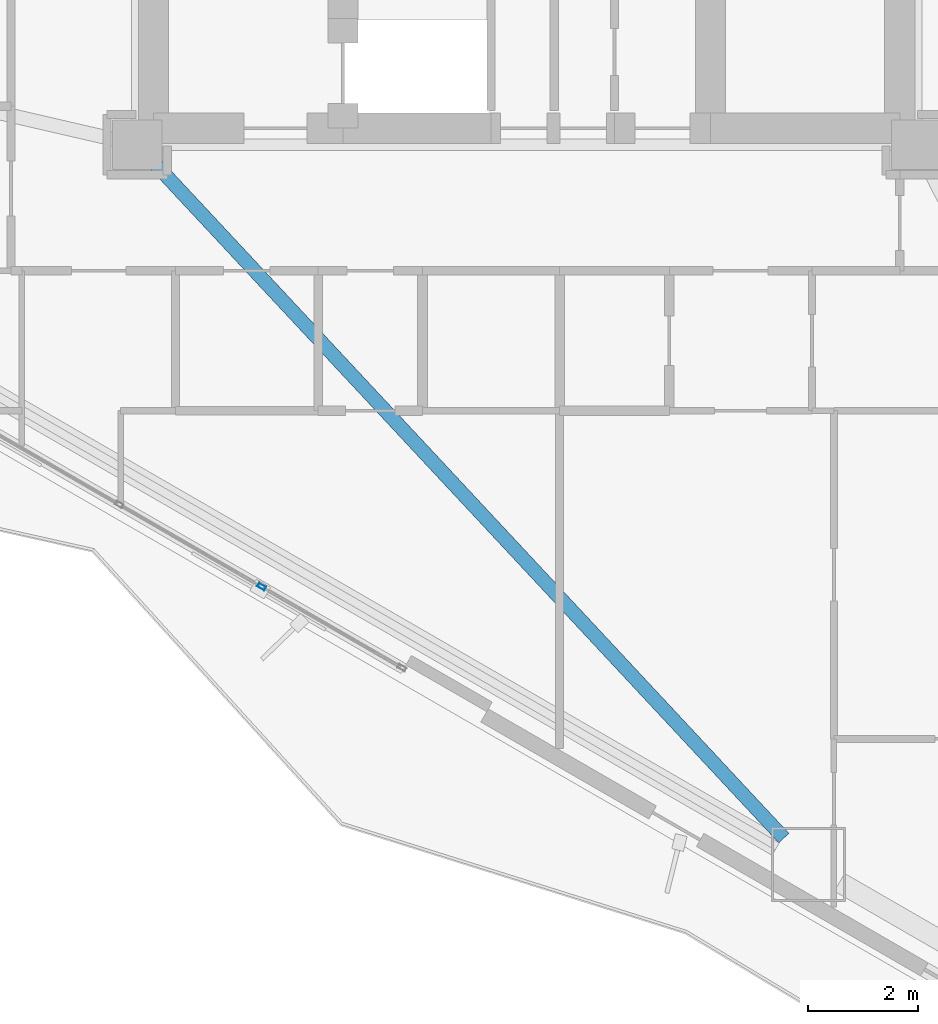
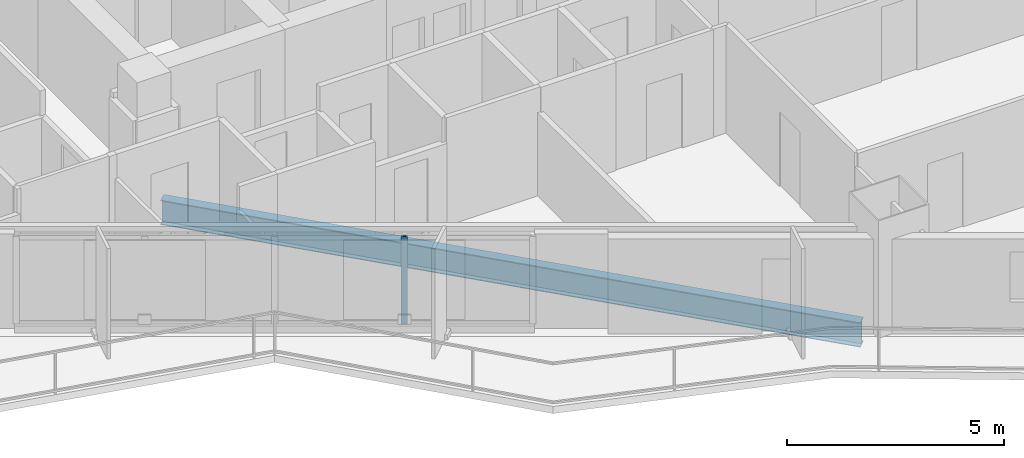
# One storey, part 4 of 19: 1 beam, 1 member, 1 element without a shape of its own.
"""IFC4 building model written with IfcOpenShell, lengths in metres."""

from ifc_helpers import new_model, si_unit, direction, frame, origin, origin_2d, place, context, subcontext, project, spatial, hollow_rectangle, i_section, extrude, material, layer, layer_set, material_profile, profile_set, type_object, element, aggregate, save


model = new_model("IFC4")

# Units and contexts
model_context = context("Model", 3, precision=1e-05, world=origin(), true_north=direction((0.0, 1.0)))
body_context = subcontext(model_context, "Body", "Model", "MODEL_VIEW")
ifc_project = project(units=[si_unit("LENGTHUNIT", "METRE"), si_unit("AREAUNIT", "SQUARE_METRE"), si_unit("VOLUMEUNIT", "CUBIC_METRE"), si_unit("PLANEANGLEUNIT", "RADIAN"), si_unit("MASSUNIT", "GRAM", prefix="KILO")], contexts=[model_context])

# Site, building, storey
site_placement = place(None, origin())
site = spatial("IfcSite", under=ifc_project, at=site_placement, CompositionType="ELEMENT")
building_placement = place(site_placement, origin())
building = spatial("IfcBuilding", under=site, at=building_placement, Name="Mersakhor Tower and Convention Hall", CompositionType="ELEMENT")
storey_placement = place(building_placement, frame((0.0, 0.0, 29.10009765625)))
storey = spatial("IfcBuildingStorey", under=building, at=storey_placement, Name="L07", CompositionType="ELEMENT", Elevation=29.10009765625)

# Beam
ifc_material_1 = material(Name="Steel S355", Category="steel")
ifc_material_profile_1 = material_profile(ifc_material_1, i_section(OverallWidth=0.25439453125, OverallDepth=0.6875, WebThickness=0.01318359375, FlangeThickness=0.02099609375, at=origin_2d()), Name="UB 686x254x152")
ifc_profile_set_1 = profile_set([ifc_material_profile_1], Name="Steel S355")
beam_type = type_object("IfcBeamType", Name="BM-PR-686", PredefinedType="BEAM", material=ifc_profile_set_1)
beam_placement = place(storey_placement, frame((22.193359375, 20.135498046875, -0.60400390625), z_axis=(0.68200435324, -0.731348112845, 0.0), x_axis=(0.731348112845, 0.68200435324, 0.0)))
element("IfcBeam", 1, at=beam_placement, inside=storey, type_object=beam_type, Name="L07 Primary Floor Girder FG-5", PredefinedType="BEAM", context=body_context, shape_type="SweptSolid", body=[
    extrude(i_section(OverallWidth=0.25439453125, OverallDepth=0.6875, WebThickness=0.01318359375, FlangeThickness=0.02099609375, at=origin_2d()), origin(), (0.0, 0.0, 1.0), 16.85205078125),
])

# Curtain wall, member
ifc_material_2 = material(Name="Dark solar low-E aluminium curtain wall", Category="aluminium")
ifc_layer = layer(ifc_material_2, 0.159912109375)
ifc_layer_set = layer_set([ifc_layer], Name="Dark solar low-E aluminium curtain wall")
curtain_wall_type = type_object("IfcCurtainWallType", Name="CW-SYS-01", PredefinedType="USERDEFINED", material=ifc_layer_set)
curtain_wall_placement = place(storey_placement, origin())
curtain_wall = element("IfcCurtainWall", 2, at=curtain_wall_placement, inside=storey, type_object=curtain_wall_type, Name="L07 Dark-Glass Curtain Wall F3-B2", ObjectType="CURTAIN WALL", PredefinedType="USERDEFINED")
ifc_material_3 = material(Name="Anodised aluminium EN AW-6063 T6", Category="aluminium")
ifc_material_profile_2 = material_profile(ifc_material_3, hollow_rectangle(XDim=0.074951171875, YDim=0.14990234375, WallThickness=0.00634765625, at=origin_2d()), Name="RHS 150x75x6.3")
ifc_profile_set_2 = profile_set([ifc_material_profile_2], Name="Anodised aluminium EN AW-6063 T6")
member_type = type_object("IfcMemberType", Name="CWM-150x75", PredefinedType="MULLION", material=ifc_profile_set_2)
member_placement = place(storey_placement, frame((24.167236328125, 12.392822265625, 0.199951171875), z_axis=(0.0, 0.0, 1.0), x_axis=(-0.50000344889, -0.866023412558, 0.0)))
member = element("IfcMember", 3, at=member_placement, type_object=member_type, Name="CW-01 mullion 2", PredefinedType="MULLION", context=body_context, shape_type="SweptSolid", body=[
    extrude(hollow_rectangle(XDim=0.074951171875, YDim=0.14990234375, WallThickness=0.00634765625, at=origin_2d()), origin(), (0.0, 0.0, 1.0), 2.4599609375),
])
aggregate(curtain_wall, [member])

save(model, "model.ifc")
